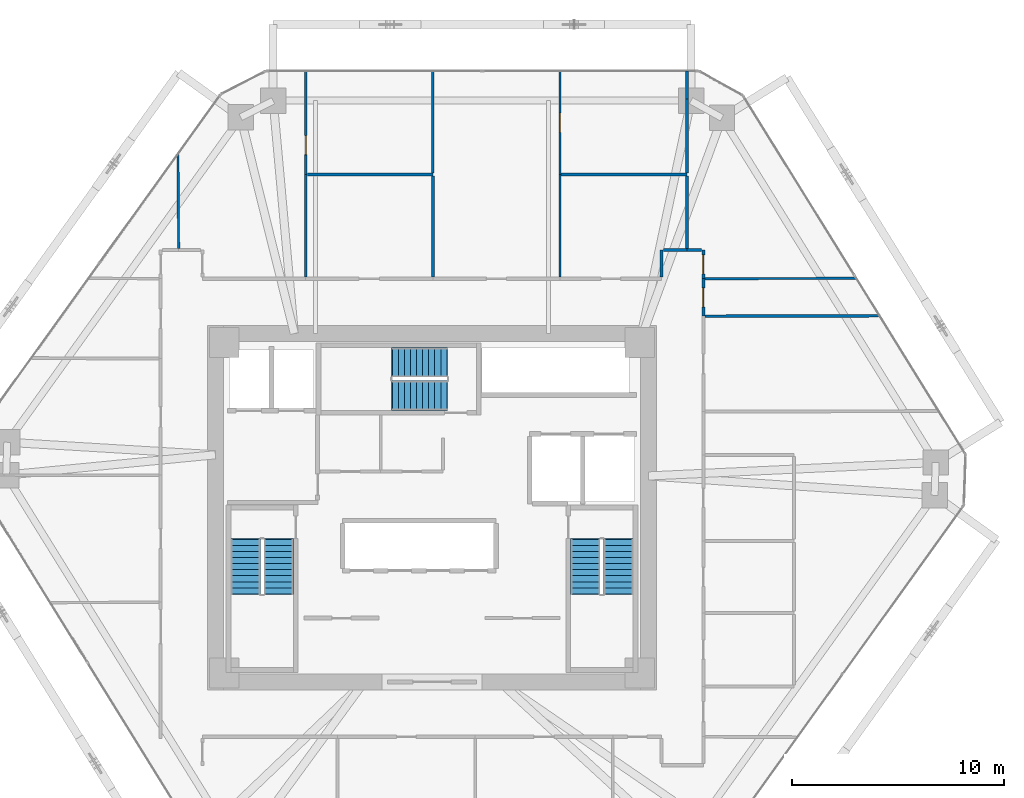
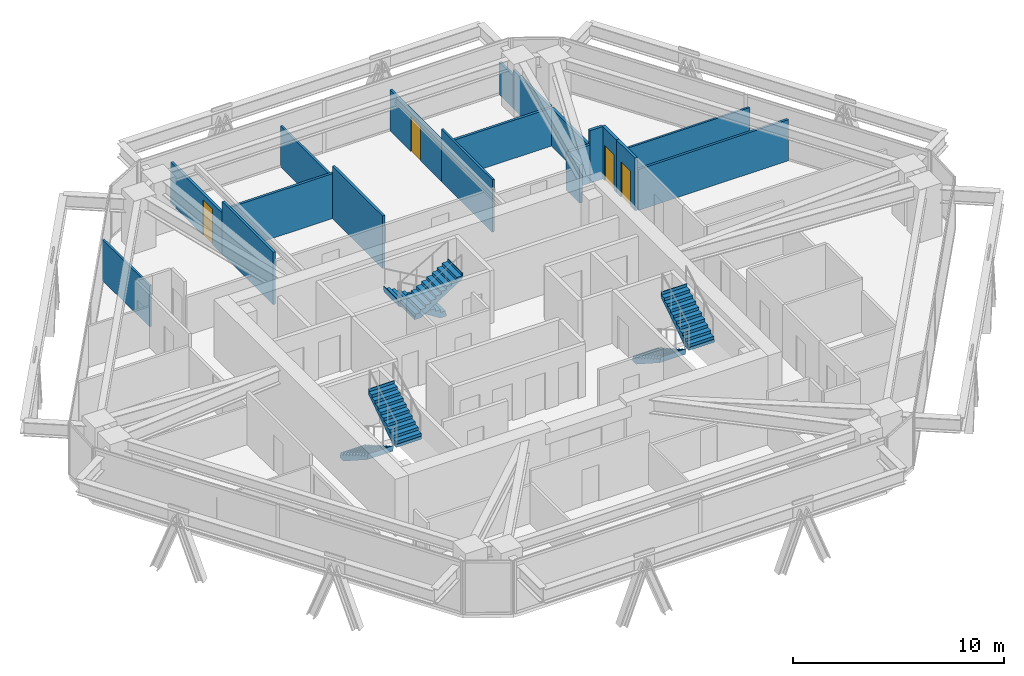
# One storey, part 15 of 16: 19 walls, 6 stair flights, 4 doors, 4 openings, 3 elements without a shape of their own.
"""IFC4 building model written with IfcOpenShell, lengths in metres."""

import ifcopenshell
import ifcopenshell.guid

model = None  # the IFC model being written
_history = None  # IfcOwnerHistory: only IFC2X3 demands one
_inside = {}  # id of a spatial element -> (the spatial element, [elements in it])
_under = {}  # id of a project, library or spatial element -> (it, [spatial elements below it])
_declared = {}  # id of a project -> (the project, [libraries it declares])
_typed = {}  # id of a type object -> (the type object, [elements of that type])
_made_of = {}  # id of a material, layer set ... -> (it, [elements and type objects made of it])


def new_model(schema):
    """Start an empty IFC model of exactly this schema.

    Asked for "IFC4X3", IfcOpenShell would pick the latest addendum, in which some entities
    have other attributes; the version numbers below select the first issue.
    IFC2X3 requires an IfcOwnerHistory on every rooted entity: one is made here for all.
    """
    global model, _history
    if schema == "IFC4X3":
        model = ifcopenshell.file(schema_version=(4, 3, 0, 0))
    else:
        model = ifcopenshell.file(schema=schema)
    _inside.clear()
    _under.clear()
    _declared.clear()
    _typed.clear()
    _made_of.clear()
    _history = None
    if model.schema == "IFC2X3":
        org = make("IfcOrganization", Name="unknown")
        user = make(
            "IfcPersonAndOrganization",
            ThePerson=make("IfcPerson", FamilyName="unknown"),
            TheOrganization=org,
        )
        app = make(
            "IfcApplication",
            ApplicationDeveloper=org,
            Version="unknown",
            ApplicationFullName="unknown",
            ApplicationIdentifier="unknown",
        )
        _history = make(
            "IfcOwnerHistory",
            OwningUser=user,
            OwningApplication=app,
            ChangeAction="ADDED",
            CreationDate=0,
        )
    return model


def make(cls, **values):
    """One entity of the class cls with the attributes given. An attribute that is None is left unset."""
    return model.create_entity(
        cls, **{name: value for name, value in values.items() if value is not None}
    )


def rooted(cls, **values):
    """An entity with a GlobalId (a new one), such as an element, a storey or a relation."""
    return make(cls, GlobalId=ifcopenshell.guid.new(), OwnerHistory=_history, **values)


def si_unit(unit_type, name, prefix=None):
    """IfcSIUnit, for example si_unit("LENGTHUNIT", "METRE", prefix="MILLI")."""
    return make("IfcSIUnit", UnitType=unit_type, Prefix=prefix, Name=name)


def assignment(units):
    """IfcUnitAssignment: the units of a project."""
    return None if units is None else make("IfcUnitAssignment", Units=units)


def point(xyz):
    """IfcCartesianPoint."""
    return None if xyz is None else make("IfcCartesianPoint", Coordinates=xyz)


def direction(xyz):
    """IfcDirection."""
    return None if xyz is None else make("IfcDirection", DirectionRatios=xyz)


def frame(location, z_axis=None, x_axis=None):
    """IfcAxis2Placement3D, a coordinate frame: its origin and axes. An axis left out is left unset."""
    return make(
        "IfcAxis2Placement3D",
        Location=point(location),
        Axis=direction(z_axis),
        RefDirection=direction(x_axis),
    )


def frame_2d(location, x_axis=None):
    """IfcAxis2Placement2D, a coordinate frame in the plane: its origin and x axis."""
    return make(
        "IfcAxis2Placement2D", Location=point(location), RefDirection=direction(x_axis)
    )


def origin():
    """The frame at (0, 0, 0) with its axes left unset."""
    return frame((0.0, 0.0, 0.0))


def place(relative_to, where):
    """IfcLocalPlacement: puts the frame where relative to a parent placement (None: the world)."""
    return make(
        "IfcLocalPlacement", PlacementRelTo=relative_to, RelativePlacement=where
    )


def context(
    kind, dimensions, precision=None, world=None, true_north=None, identifier=None
):
    """IfcGeometricRepresentationContext, for example the 3D "Model" context."""
    return make(
        "IfcGeometricRepresentationContext",
        ContextIdentifier=identifier,
        ContextType=kind,
        CoordinateSpaceDimension=dimensions,
        Precision=precision,
        WorldCoordinateSystem=world,
        TrueNorth=true_north,
    )


def subcontext(parent, identifier, kind, view, scale=None):
    """IfcGeometricRepresentationSubContext, for example "Body" below "Model"."""
    return make(
        "IfcGeometricRepresentationSubContext",
        ContextIdentifier=identifier,
        ContextType=kind,
        ParentContext=parent,
        TargetScale=scale,
        TargetView=view,
    )


def project(units=None, contexts=None):
    """IfcProject with its units and contexts."""
    return rooted(
        "IfcProject",
        Name="project",
        RepresentationContexts=contexts,
        UnitsInContext=assignment(units),
    )


def spatial(cls, under=None, at=None, **own):
    """A site, building, storey or space (cls), placed at a placement, below another one or the project."""
    s = rooted(cls, ObjectPlacement=at, **own)
    if under is not None:
        _under.setdefault(under.id(), (under, []))[1].append(s)
    return s


def polyline(points):
    """IfcPolyline through the points."""
    return make("IfcPolyline", Points=[point(p) for p in points])


def profile(cls, at=None, kind="AREA", **sizes):
    """A parametric profile (cls). Its sizes go by their IFC names, for example OverallWidth=200.0."""
    return make(cls, ProfileType=kind, Position=at, **sizes)


def rectangle(**sizes):
    """IfcRectangleProfileDef."""
    return profile("IfcRectangleProfileDef", **sizes)


def outline(outer, holes=None, kind="AREA"):
    """IfcArbitraryClosedProfileDef: a profile drawn as a closed curve; with holes, ...WithVoids."""
    if holes is None:
        return make("IfcArbitraryClosedProfileDef", ProfileType=kind, OuterCurve=outer)
    return make(
        "IfcArbitraryProfileDefWithVoids",
        ProfileType=kind,
        OuterCurve=outer,
        InnerCurves=holes,
    )


def extrude(swept, where, along, depth):
    """IfcExtrudedAreaSolid: the profile swept, set in the frame where, extruded along a direction by depth."""
    return make(
        "IfcExtrudedAreaSolid",
        SweptArea=swept,
        Position=where,
        ExtrudedDirection=direction(along),
        Depth=depth,
    )


def shape(context_of_items, identifier, shape_type, items):
    """IfcShapeRepresentation: the items that make up one representation, for example the "Body"."""
    return make(
        "IfcShapeRepresentation",
        ContextOfItems=context_of_items,
        RepresentationIdentifier=identifier,
        RepresentationType=shape_type,
        Items=items,
    )


def source(mapping_origin, context_of_items, identifier, shape_type, items):
    """IfcRepresentationMap: a shape defined once, which mapped items show again and again."""
    return make(
        "IfcRepresentationMap",
        MappingOrigin=mapping_origin,
        MappedRepresentation=shape(context_of_items, identifier, shape_type, items),
    )


def transform(
    local_origin,
    x_axis=None,
    y_axis=None,
    z_axis=None,
    scale=None,
    scale2=None,
    scale3=None,
    uniform=True,
):
    """IfcCartesianTransformationOperator3D, or its non-uniform kind. x_axis, y_axis, z_axis: its Axis1, 2, 3."""
    if uniform:
        return make(
            "IfcCartesianTransformationOperator3D",
            Axis1=direction(x_axis),
            Axis2=direction(y_axis),
            LocalOrigin=point(local_origin),
            Scale=scale,
            Axis3=direction(z_axis),
        )
    return make(
        "IfcCartesianTransformationOperator3DnonUniform",
        Axis1=direction(x_axis),
        Axis2=direction(y_axis),
        LocalOrigin=point(local_origin),
        Scale=scale,
        Axis3=direction(z_axis),
        Scale2=scale2,
        Scale3=scale3,
    )


def mapped(mapping_source, mapping_target):
    """IfcMappedItem: shows the shape of a source again, moved by a transform."""
    return make(
        "IfcMappedItem", MappingSource=mapping_source, MappingTarget=mapping_target
    )


def material(Name=None, Category=None):
    """IfcMaterial."""
    return make("IfcMaterial", Name=Name, Category=Category)


def layer(
    of_material, thickness, ventilated=None, Name=None, Category=None, Priority=None
):
    """IfcMaterialLayer: one layer of a wall or slab, of a material (None: an air gap)."""
    return make(
        "IfcMaterialLayer",
        Material=of_material,
        LayerThickness=thickness,
        IsVentilated=ventilated,
        Name=Name,
        Category=Category,
        Priority=Priority,
    )


def layer_set(layers, Name=None):
    """IfcMaterialLayerSet."""
    return make("IfcMaterialLayerSet", MaterialLayers=layers, LayerSetName=Name)


def made_of(thing, what):
    """Note that an element or type object is made of a material, layer set ...; save() writes the relation."""
    if what is not None:
        _made_of.setdefault(what.id(), (what, []))[1].append(thing)
    return thing


def type_object(cls, material=None, **own):
    """A type object (cls), such as IfcWallType, which elements share."""
    return made_of(rooted(cls, **own), material)


def type_shapes(of_type, sources):
    """Give a type object the sources (RepresentationMaps) that its elements show as mapped items."""
    of_type.RepresentationMaps = sources


def element(
    cls,
    number,
    at=None,
    inside=None,
    cuts=None,
    type_object=None,
    material=None,
    context=None,
    identifier="Body",
    shape_type=None,
    held_by="IfcProductDefinitionShape",
    body=None,
    shapes=None,
    **own,
):
    """One element of the class cls, such as IfcWall. Its Tag is "e" and its number.

    at: its placement. inside: the storey or other place that contains it. cuts: it is an
    opening in that element (IfcRelVoidsElement). A single representation is given by context,
    identifier, shape_type and body (its items); several are given by shapes. held_by: the class
    of the entity that holds the representations. save() writes the other relations.
    """
    e = rooted(cls, Tag="e%d" % number, ObjectPlacement=at, **own)
    if body is not None:
        shapes = [shape(context, identifier, shape_type, body)]
    if shapes is not None:
        e.Representation = make(held_by, Representations=shapes)
    if inside is not None:
        _inside.setdefault(inside.id(), (inside, []))[1].append(e)
    if cuts is not None:
        rooted(
            "IfcRelVoidsElement", RelatingBuildingElement=cuts, RelatedOpeningElement=e
        )
    if type_object is not None:
        _typed.setdefault(type_object.id(), (type_object, []))[1].append(e)
    return made_of(e, material)


def fill(opening, filler):
    """IfcRelFillsElement: the door or window that sits in an opening."""
    return rooted(
        "IfcRelFillsElement",
        RelatingOpeningElement=opening,
        RelatedBuildingElement=filler,
    )


def aggregate(whole, parts):
    """IfcRelAggregates: a whole, such as a stair, and the parts it consists of."""
    return rooted("IfcRelAggregates", RelatingObject=whole, RelatedObjects=parts)


def save(model, path):
    """Write the relations noted so far, then the file.

    IfcRelAggregates (storeys below a building ...), IfcRelContainedInSpatialStructure (elements
    in a storey), IfcRelDefinesByType, IfcRelAssociatesMaterial and IfcRelDeclares: one each for
    every whole, place, type object, material and project.
    """
    for whole, parts in _under.values():
        aggregate(whole, parts)
    for where, things in _inside.values():
        rooted(
            "IfcRelContainedInSpatialStructure",
            RelatedElements=things,
            RelatingStructure=where,
        )
    for kind, things in _typed.values():
        rooted("IfcRelDefinesByType", RelatedObjects=things, RelatingType=kind)
    for what, things in _made_of.values():
        rooted("IfcRelAssociatesMaterial", RelatedObjects=things, RelatingMaterial=what)
    for by, libraries in _declared.values():
        rooted("IfcRelDeclares", RelatingContext=by, RelatedDefinitions=libraries)
    model.write(path)


model = new_model("IFC4")

# Units and contexts
model_context = context("Model", 3, precision=1e-05, world=origin(), true_north=direction((0.0, 1.0)))
body_context = subcontext(model_context, "Body", "Model", "MODEL_VIEW")
ifc_project = project(units=[si_unit("LENGTHUNIT", "METRE"), si_unit("AREAUNIT", "SQUARE_METRE"), si_unit("VOLUMEUNIT", "CUBIC_METRE"), si_unit("PLANEANGLEUNIT", "RADIAN"), si_unit("MASSUNIT", "GRAM", prefix="KILO")], contexts=[model_context])

# Site, building, storey
site_placement = place(None, origin())
site = spatial("IfcSite", under=ifc_project, at=site_placement, CompositionType="ELEMENT")
building_placement = place(site_placement, origin())
building = spatial("IfcBuilding", under=site, at=building_placement, Name="Durnholm Broadcast Tower", CompositionType="ELEMENT")
storey_placement = place(building_placement, frame((0.0, 0.0, 117.300048828125)))
storey = spatial("IfcBuildingStorey", under=building, at=storey_placement, Name="L31", CompositionType="ELEMENT", Elevation=117.300048828125)

# Walls
ifc_material_1 = material(Name="Operable Acoustic Panel Partition", Category="aluminium")
ifc_layer_1 = layer(ifc_material_1, 0.110107421875)
ifc_layer_set_1 = layer_set([ifc_layer_1], Name="Operable Acoustic Panel Partition")
wall_type_1 = type_object("IfcWallType", Name="WALL-MOV-110", PredefinedType="MOVABLE", material=ifc_layer_set_1)
wall_1_placement = place(storey_placement, frame((-11.992431640625, 16.706787109375, 0.0), z_axis=(0.0, 0.0, 1.0), x_axis=(0.007103645899, -0.999974768789, 0.0)))
element("IfcWall", 1, at=wall_1_placement, inside=storey, type_object=wall_type_1, Name="L31 room dividing partition 8.9", PredefinedType="MOVABLE", context=body_context, shape_type="SweptSolid", body=[
    extrude(rectangle(XDim=4.4677734375, YDim=0.110107421875, at=frame_2d((2.23388671875, 0.0))), origin(), (0.0, 0.0, 1.0), 2.3798828125),
])
wall_2_placement = place(storey_placement, frame((0.0400390625, 20.614990234375, 0.0), z_axis=(0.0, 0.0, 1.0), x_axis=(0.0, -1.0, 0.0)))
element("IfcWall", 2, at=wall_2_placement, inside=storey, type_object=wall_type_1, Name="L31 room dividing partition 11.12", PredefinedType="MOVABLE", context=body_context, shape_type="SweptSolid", body=[
    extrude(rectangle(XDim=4.810546875, YDim=0.110107421875, at=frame_2d((2.4052734375, 0.0))), origin(), (0.0, 0.0, 1.0), 2.3798828125),
])
wall_3_placement = place(storey_placement, frame((6.0400390625, 15.73291015625, 0.0), z_axis=(0.0, 0.0, 1.0), x_axis=(0.0, -1.0, 0.0)))
element("IfcWall", 3, at=wall_3_placement, inside=storey, type_object=wall_type_1, Name="L31 room dividing partition 12.13", PredefinedType="MOVABLE", context=body_context, shape_type="SweptSolid", body=[
    extrude(rectangle(XDim=4.843994140625, YDim=0.110107421875, at=frame_2d((2.421875, 0.0))), origin(), (0.0, 0.0, 1.0), 3.044921875),
])

# Wall, opening, door
wall_4_placement = place(storey_placement, frame((6.0400390625, 20.614990234375, 0.0), z_axis=(0.0, 0.0, 1.0), x_axis=(0.0, -1.0, 0.0)))
wall_4 = element("IfcWall", 4, at=wall_4_placement, inside=storey, type_object=wall_type_1, Name="L31 room dividing partition 12.14", PredefinedType="MOVABLE", context=body_context, shape_type="SweptSolid", body=[
    extrude(rectangle(XDim=4.882080078125, YDim=0.110107421875, at=frame_2d((2.44091796875, 0.0))), origin(), (0.0, 0.0, 1.0), 2.3798828125),
])
opening_1_placement = place(wall_4_placement, frame((1.990966796875, 0.0, 0.0)))
opening_1 = element("IfcOpeningElement", 5, at=opening_1_placement, cuts=wall_4, Name="Opening DW-90L", PredefinedType="OPENING", context=body_context, shape_type="SweptSolid", body=[
    extrude(rectangle(XDim=0.89990234375, YDim=2.050048828125, at=frame_2d((0.449951171875, 1.02490234375))), frame((0.0, 0.06494140625, 0.0), z_axis=(0.0, -1.0, 0.0), x_axis=(1.0, 0.0, 0.0)), (0.0, 0.0, 1.0), 0.130126953125),
])
ifc_material_2 = material(Name="Laminate Restroom Door", Category="steel")
ifc_layer_2 = layer(ifc_material_2, 0.050048828125)
ifc_layer_set_2 = layer_set([ifc_layer_2], Name="Laminate Restroom Door")
door_type_1 = type_object("IfcDoorType", Name="DOOR-WC-900L", OperationType="NOTDEFINED", PredefinedType="DOOR", material=ifc_layer_set_2)
shared_shape_1 = source(origin(), body_context, "Body", "SweptSolid", [
    extrude(rectangle(XDim=0.89990234375, YDim=2.050048828125, at=frame_2d((0.449951171875, 1.02490234375))), frame((0.0, 0.02490234375, 0.0), z_axis=(0.0, -1.0, 0.0), x_axis=(1.0, 0.0, 0.0)), (0.0, 0.0, 1.0), 0.050048828125),
])
type_shapes(door_type_1, [shared_shape_1])
door_1_placement = place(opening_1_placement, origin())
door_1 = element("IfcDoor", 6, at=door_1_placement, inside=storey, type_object=door_type_1, Name="L31 Account Lounge connecting door", OperationType="SINGLE_SWING_LEFT", OverallHeight=2.050048828125, OverallWidth=0.89990234375, PredefinedType="DOOR", context=body_context, shape_type="MappedRepresentation", body=[
    mapped(shared_shape_1, transform((0.0, 0.0, 0.0), x_axis=(1.0, 0.0, 0.0), y_axis=(0.0, 1.0, 0.0), z_axis=(0.0, 0.0, 1.0), scale=1.0)),
])
fill(opening_1, door_1)

# Walls
wall_5_placement = place(storey_placement, frame((20.03515625, 10.8310546875, 0.0), z_axis=(0.0, 0.0, 1.0), x_axis=(-0.999995783715, -0.002903885812, 0.0)))
element("IfcWall", 7, at=wall_5_placement, inside=storey, type_object=wall_type_1, Name="L31 room dividing partition 15.26", PredefinedType="MOVABLE", context=body_context, shape_type="SweptSolid", body=[
    extrude(rectangle(XDim=7.146240234375, YDim=0.110107421875, at=frame_2d((3.5732421875, 0.0))), origin(), (0.0, 0.0, 1.0), 2.3798828125),
])
ifc_material_3 = material(Name="Gypsum Metal Stud Partition", Category="concrete")
ifc_layer_3 = layer(ifc_material_3, 0.135009765625)
ifc_layer_set_3 = layer_set([ifc_layer_3], Name="Gypsum Metal Stud Partition")
wall_type_2 = type_object("IfcWallType", Name="WALL-PART-135", PredefinedType="PARTITIONING", material=ifc_layer_set_3)
wall_6_placement = place(storey_placement, frame((-5.9599609375, 15.73291015625, 0.0), z_axis=(0.0, 0.0, 1.0), x_axis=(0.0, -1.0, 0.0)))
element("IfcWall", 8, at=wall_6_placement, inside=storey, type_object=wall_type_2, Name="L31 room dividing partition 9.10", PredefinedType="PARTITIONING", context=body_context, shape_type="SweptSolid", body=[
    extrude(rectangle(XDim=4.843994140625, YDim=0.135009765625, at=frame_2d((2.421875, 0.0))), origin(), (0.0, 0.0, 1.0), 3.044921875),
])

# Wall, opening, door
wall_7_placement = place(storey_placement, frame((-5.9599609375, 20.614990234375, 0.0), z_axis=(0.0, 0.0, 1.0), x_axis=(0.0, -1.0, 0.0)))
wall_7 = element("IfcWall", 9, at=wall_7_placement, inside=storey, type_object=wall_type_2, Name="L31 room dividing partition 9.11", PredefinedType="PARTITIONING", context=body_context, shape_type="SweptSolid", body=[
    extrude(rectangle(XDim=4.882080078125, YDim=0.135009765625, at=frame_2d((2.44091796875, 0.0))), origin(), (0.0, 0.0, 1.0), 2.3798828125),
])
opening_2_placement = place(wall_7_placement, frame((3.050048828125, 0.0, 0.0)))
opening_2 = element("IfcOpeningElement", 10, at=opening_2_placement, cuts=wall_7, Name="Opening DW-90L", PredefinedType="OPENING", context=body_context, shape_type="SweptSolid", body=[
    extrude(rectangle(XDim=0.89990234375, YDim=2.050048828125, at=frame_2d((0.449951171875, 1.02490234375))), frame((0.0, 0.07763671875, 0.0), z_axis=(0.0, -1.0, 0.0), x_axis=(1.0, 0.0, 0.0)), (0.0, 0.0, 1.0), 0.155029296875),
])
door_2_placement = place(opening_2_placement, origin())
door_2 = element("IfcDoor", 11, at=door_2_placement, inside=storey, type_object=door_type_1, Name="L31 Sales Presentation Hall connecting door", OperationType="SINGLE_SWING_LEFT", OverallHeight=2.050048828125, OverallWidth=0.89990234375, PredefinedType="DOOR", context=body_context, shape_type="MappedRepresentation", body=[
    mapped(shared_shape_1, transform((0.0, 0.0, 0.0), x_axis=(1.0, 0.0, 0.0), y_axis=(0.0, 1.0, 0.0), z_axis=(0.0, 0.0, 1.0), scale=1.0)),
])
fill(opening_2, door_2)

# Walls
wall_8_placement = place(storey_placement, frame((-5.888427734375, 15.73291015625, 0.0), z_axis=(0.0, 0.0, 1.0), x_axis=(1.0, 0.0, 0.0)))
element("IfcWall", 12, at=wall_8_placement, inside=storey, type_object=wall_type_2, Name="L31 room dividing partition 10.11", PredefinedType="PARTITIONING", context=body_context, shape_type="SweptSolid", body=[
    extrude(rectangle(XDim=5.928466796875, YDim=0.135009765625, at=frame_2d((2.96435546875, 0.0))), origin(), (0.0, 0.0, 1.0), 2.608154296875),
])
wall_9_placement = place(storey_placement, frame((0.0400390625, 15.66162109375, 0.0), z_axis=(0.0, 0.0, 1.0), x_axis=(0.0, -1.0, 0.0)))
element("IfcWall", 13, at=wall_9_placement, inside=storey, type_object=wall_type_2, Name="L31 room dividing partition 10.12", PredefinedType="PARTITIONING", context=body_context, shape_type="SweptSolid", body=[
    extrude(rectangle(XDim=4.772705078125, YDim=0.135009765625, at=frame_2d((2.38623046875, 0.0))), origin(), (0.0, 0.0, 1.0), 3.044921875),
])
wall_10_placement = place(storey_placement, frame((6.09912109375, 15.73291015625, 0.0), z_axis=(0.0, 0.0, 1.0), x_axis=(1.0, 0.0, 0.0)))
element("IfcWall", 14, at=wall_10_placement, inside=storey, type_object=wall_type_2, Name="L31 room dividing partition 13.14", PredefinedType="PARTITIONING", context=body_context, shape_type="SweptSolid", body=[
    extrude(rectangle(XDim=5.94091796875, YDim=0.135009765625, at=frame_2d((2.970458984375, 0.0))), origin(), (0.0, 0.0, 1.0), 2.212158203125),
])
wall_11_placement = place(storey_placement, frame((12.0400390625, 15.66162109375, 0.0), z_axis=(0.0, 0.0, 1.0), x_axis=(0.0, -1.0, 0.0)))
element("IfcWall", 15, at=wall_11_placement, inside=storey, type_object=wall_type_2, Name="L31 room dividing partition 13.15", PredefinedType="PARTITIONING", context=body_context, shape_type="SweptSolid", body=[
    extrude(rectangle(XDim=3.422607421875, YDim=0.135009765625, at=frame_2d((1.71142578125, 0.0))), origin(), (0.0, 0.0, 1.0), 2.212158203125),
])
wall_12_placement = place(storey_placement, frame((12.0400390625, 19.299072265625, 0.0), z_axis=(0.0, 0.0, 1.0), x_axis=(0.0, -1.0, 0.0)))
element("IfcWall", 16, at=wall_12_placement, inside=storey, type_object=wall_type_2, Name="L31 room dividing partition 14.15", PredefinedType="PARTITIONING", context=body_context, shape_type="SweptSolid", body=[
    extrude(rectangle(XDim=3.49462890625, YDim=0.135009765625, at=frame_2d((1.747314453125, 0.0))), origin(), (0.0, 0.0, 1.0), 2.212158203125),
])
wall_13_placement = place(storey_placement, frame((12.0400390625, 20.614990234375, 0.0), z_axis=(0.0, 0.0, 1.0), x_axis=(0.0, -1.0, 0.0)))
element("IfcWall", 17, at=wall_13_placement, inside=storey, type_object=wall_type_2, Name="L31 room dividing partition 14.15", PredefinedType="PARTITIONING", context=body_context, shape_type="SweptSolid", body=[
    extrude(rectangle(XDim=1.31591796875, YDim=0.135009765625, at=frame_2d((0.657958984375, 0.0))), origin(), (0.0, 0.0, 1.0), 1.876953125),
])
wall_14_placement = place(storey_placement, frame((12.888916015625, 9.040283203125, 0.0), z_axis=(0.0, 0.0, 1.0), x_axis=(0.999996831927, 0.00251716805, 0.0)))
element("IfcWall", 18, at=wall_14_placement, inside=storey, type_object=wall_type_2, Name="L31 room dividing partition 25.26", PredefinedType="PARTITIONING", context=body_context, shape_type="SweptSolid", body=[
    extrude(rectangle(XDim=8.244140625, YDim=0.135009765625, at=frame_2d((4.1220703125, 0.0))), origin(), (0.0, 0.0, 1.0), 2.3798828125),
])
ifc_material_4 = material(Name="Acoustic Gypsum Stud Partition", Category="concrete")
ifc_layer_4 = layer(ifc_material_4, 0.14990234375)
ifc_layer_set_4 = layer_set([ifc_layer_4], Name="Acoustic Gypsum Stud Partition")
wall_type_3 = type_object("IfcWallType", Name="WALL-PART-150", PredefinedType="PARTITIONING", material=ifc_layer_set_4)
wall_15_placement = place(storey_placement, frame((10.840087890625, 12.159912109375, 0.0), z_axis=(0.0, 0.0, 1.0), x_axis=(0.0, -1.0, 0.0)))
element("IfcWall", 19, at=wall_15_placement, inside=storey, type_object=wall_type_3, Name="L31 Hospitality Kitchen corridor partition", PredefinedType="PARTITIONING", context=body_context, shape_type="SweptSolid", body=[
    extrude(rectangle(XDim=1.27099609375, YDim=0.14990234375, at=frame_2d((0.635498046875, 0.0))), origin(), (0.0, 0.0, 1.0), 2.212158203125),
])
wall_16_placement = place(storey_placement, frame((12.0400390625, 12.159912109375, 0.0), z_axis=(0.0, 0.0, 1.0), x_axis=(-1.0, 0.0, 0.0)))
element("IfcWall", 20, at=wall_16_placement, inside=storey, type_object=wall_type_3, Name="L31 Hospitality Kitchen corridor partition", PredefinedType="PARTITIONING", context=body_context, shape_type="SweptSolid", body=[
    extrude(rectangle(XDim=1.12109375, YDim=0.14990234375, at=frame_2d((0.560546875, 0.0))), origin(), (0.0, 0.0, 1.0), 2.212158203125),
])

# Wall, opening, door
wall_17_placement = place(storey_placement, frame((12.81005859375, 10.81005859375, 0.0), z_axis=(0.0, 0.0, 1.0), x_axis=(0.0, 1.0, 0.0)))
wall_17 = element("IfcWall", 21, at=wall_17_placement, inside=storey, type_object=wall_type_3, Name="L31 Preview Meeting Room corridor partition", PredefinedType="PARTITIONING", context=body_context, shape_type="SweptSolid", body=[
    extrude(rectangle(XDim=1.349853515625, YDim=0.14990234375, at=frame_2d((0.6748046875, 0.0))), origin(), (0.0, 0.0, 1.0), 3.044921875),
])
opening_3_placement = place(wall_17_placement, frame((0.22509765625, 0.0, 0.0)))
opening_3 = element("IfcOpeningElement", 22, at=opening_3_placement, cuts=wall_17, Name="Opening DW-90R", PredefinedType="OPENING", context=body_context, shape_type="SweptSolid", body=[
    extrude(rectangle(XDim=0.89990234375, YDim=2.050048828125, at=frame_2d((0.449951171875, 1.02490234375))), frame((0.0, 0.0849609375, 0.0), z_axis=(0.0, -1.0, 0.0), x_axis=(1.0, 0.0, 0.0)), (0.0, 0.0, 1.0), 0.169921875),
])
ifc_layer_5 = layer(ifc_material_2, 0.050048828125)
ifc_layer_set_5 = layer_set([ifc_layer_5], Name="Laminate Restroom Door")
door_type_2 = type_object("IfcDoorType", Name="DOOR-WC-900R", OperationType="NOTDEFINED", PredefinedType="DOOR", material=ifc_layer_set_5)
shared_shape_2 = source(origin(), body_context, "Body", "SweptSolid", [
    extrude(rectangle(XDim=0.89990234375, YDim=2.050048828125, at=frame_2d((0.449951171875, 1.02490234375))), frame((0.0, 0.02490234375, 0.0), z_axis=(0.0, -1.0, 0.0), x_axis=(1.0, 0.0, 0.0)), (0.0, 0.0, 1.0), 0.050048828125),
])
type_shapes(door_type_2, [shared_shape_2])
door_3_placement = place(opening_3_placement, origin())
door_3 = element("IfcDoor", 23, at=door_3_placement, inside=storey, type_object=door_type_2, Name="L31 Preview Meeting Room entrance door", OperationType="SINGLE_SWING_RIGHT", OverallHeight=2.050048828125, OverallWidth=0.89990234375, PredefinedType="DOOR", context=body_context, shape_type="MappedRepresentation", body=[
    mapped(shared_shape_2, transform((0.0, 0.0, 0.0), x_axis=(1.0, 0.0, 0.0), y_axis=(0.0, 1.0, 0.0), z_axis=(0.0, 0.0, 1.0), scale=1.0)),
])
fill(opening_3, door_3)

# Wall
wall_18_placement = place(storey_placement, frame((12.73095703125, 12.159912109375, 0.0), z_axis=(0.0, 0.0, 1.0), x_axis=(-1.0, 0.0, 0.0)))
element("IfcWall", 24, at=wall_18_placement, inside=storey, type_object=wall_type_3, Name="L31 Preview Meeting Room corridor partition", PredefinedType="PARTITIONING", context=body_context, shape_type="SweptSolid", body=[
    extrude(rectangle(XDim=0.69091796875, YDim=0.14990234375, at=frame_2d((0.345458984375, 0.0))), origin(), (0.0, 0.0, 1.0), 3.044921875),
])

# Wall, opening, door
wall_19_placement = place(storey_placement, frame((12.81005859375, 9.0400390625, 0.0), z_axis=(0.0, 0.0, 1.0), x_axis=(0.0, 1.0, 0.0)))
wall_19 = element("IfcWall", 25, at=wall_19_placement, inside=storey, type_object=wall_type_3, Name="L31 Syndication Meeting Room 1 corridor partition", PredefinedType="PARTITIONING", context=body_context, shape_type="SweptSolid", body=[
    extrude(rectangle(XDim=1.77001953125, YDim=0.14990234375, at=frame_2d((0.885009765625, 0.0))), origin(), (0.0, 0.0, 1.0), 3.044921875),
])
opening_4_placement = place(wall_19_placement, frame((0.43505859375, 0.0, 0.0)))
opening_4 = element("IfcOpeningElement", 26, at=opening_4_placement, cuts=wall_19, Name="Opening DW-90L", PredefinedType="OPENING", context=body_context, shape_type="SweptSolid", body=[
    extrude(rectangle(XDim=0.89990234375, YDim=2.050048828125, at=frame_2d((0.449951171875, 1.02490234375))), frame((0.0, 0.0849609375, 0.0), z_axis=(0.0, -1.0, 0.0), x_axis=(1.0, 0.0, 0.0)), (0.0, 0.0, 1.0), 0.169921875),
])
door_4_placement = place(opening_4_placement, origin())
door_4 = element("IfcDoor", 27, at=door_4_placement, inside=storey, type_object=door_type_1, Name="L31 Syndication Meeting Room 1 entrance door", OperationType="SINGLE_SWING_LEFT", OverallHeight=2.050048828125, OverallWidth=0.89990234375, PredefinedType="DOOR", context=body_context, shape_type="MappedRepresentation", body=[
    mapped(shared_shape_1, transform((0.0, 0.0, 0.0), x_axis=(1.0, 0.0, 0.0), y_axis=(0.0, 1.0, 0.0), z_axis=(0.0, 0.0, 1.0), scale=1.0)),
])
fill(opening_4, door_4)

# Stair, stair flights
ifc_material_5 = material(Name="Concrete C50/60", Category="concrete")
stair_type = type_object("IfcStairType", Name="STAIR-DL-20R1650", PredefinedType="HALF_TURN_STAIR", material=ifc_material_5)
stair_1_placement = place(storey_placement, origin())
stair_1 = element("IfcStair", 28, at=stair_1_placement, inside=storey, type_object=stair_type, Name="L31 ST-1", PredefinedType="HALF_TURN_STAIR")
stair_flight_type = type_object("IfcStairFlightType", Name="FLIGHT-DL-20R1650", PredefinedType="STRAIGHT", material=ifc_material_5)
stair_flight_1_placement = place(storey_placement, frame((-8.800048828125, -1.5, 0.0), z_axis=(0.0, 0.0, 1.0), x_axis=(0.0, -1.0, 0.0)))
stair_flight_1 = element("IfcStairFlight", 29, at=stair_flight_1_placement, type_object=stair_flight_type, Name="ST-1 flight 1", NumberOfRisers=10, NumberOfTreads=9, PredefinedType="STRAIGHT", RiserHeight=0.165, TreadLength=0.285, context=body_context, shape_type="SweptSolid", body=[
    extrude(outline(polyline([(-0.0400390625, -0.14990234375), (-0.0400390625, 0.0), (0.0, 0.0), (0.0, 0.1650390625), (0.284912109375, 0.1650390625), (0.284912109375, 0.330078125), (0.570068359375, 0.330078125), (0.570068359375, 0.4951171875), (0.85498046875, 0.4951171875), (0.85498046875, 0.659912109375), (1.139892578125, 0.659912109375), (1.139892578125, 0.824951171875), (1.425048828125, 0.824951171875), (1.425048828125, 0.989990234375), (1.7099609375, 0.989990234375), (1.7099609375, 1.155029296875), (1.9951171875, 1.155029296875), (1.9951171875, 1.320068359375), (2.280029296875, 1.320068359375), (2.280029296875, 1.485107421875), (2.56494140625, 1.485107421875), (2.56494140625, 1.64990234375), (2.60498046875, 1.64990234375), (2.60498046875, 1.5), (2.56494140625, 1.311767578125), (0.299072265625, -0.14990234375), (-0.0400390625, -0.14990234375)])), frame((0.0, 0.699951171875, 0.0), z_axis=(0.0, -1.0, 0.0), x_axis=(1.0, 0.0, 0.0)), (0.0, 0.0, 1.0), 1.39990234375),
])
stair_flight_2_placement = place(storey_placement, frame((-7.239990234375, -4.06494140625, 1.64990234375), z_axis=(0.0, 0.0, 1.0), x_axis=(0.0, 1.0, 0.0)))
stair_flight_2 = element("IfcStairFlight", 30, at=stair_flight_2_placement, type_object=stair_flight_type, Name="ST-1 flight 2", NumberOfRisers=10, NumberOfTreads=9, PredefinedType="STRAIGHT", RiserHeight=0.165, TreadLength=0.285, context=body_context, shape_type="SweptSolid", body=[
    extrude(outline(polyline([(-0.0400390625, -0.14990234375), (-0.0400390625, 0.0), (0.0, 0.0), (0.0, 0.1650390625), (0.284912109375, 0.1650390625), (0.284912109375, 0.330078125), (0.570068359375, 0.330078125), (0.570068359375, 0.4951171875), (0.85498046875, 0.4951171875), (0.85498046875, 0.659912109375), (1.139892578125, 0.659912109375), (1.139892578125, 0.824951171875), (1.425048828125, 0.824951171875), (1.425048828125, 0.989990234375), (1.7099609375, 0.989990234375), (1.7099609375, 1.155029296875), (1.9951171875, 1.155029296875), (1.9951171875, 1.320068359375), (2.280029296875, 1.320068359375), (2.280029296875, 1.485107421875), (2.56494140625, 1.485107421875), (2.56494140625, 1.64990234375), (2.60498046875, 1.64990234375), (2.60498046875, 1.5), (2.56494140625, 1.311767578125), (0.299072265625, -0.14990234375), (-0.0400390625, -0.14990234375)])), frame((0.0, 0.699951171875, 0.0), z_axis=(0.0, -1.0, 0.0), x_axis=(1.0, 0.0, 0.0)), (0.0, 0.0, 1.0), 1.39990234375),
])
aggregate(stair_1, [stair_flight_1, stair_flight_2])

stair_2_placement = place(storey_placement, origin())
stair_2 = element("IfcStair", 31, at=stair_2_placement, inside=storey, type_object=stair_type, Name="L31 ST-2", PredefinedType="HALF_TURN_STAIR")
stair_flight_3_placement = place(storey_placement, frame((7.239990234375, -1.5, 0.0), z_axis=(0.0, 0.0, 1.0), x_axis=(0.0, -1.0, 0.0)))
stair_flight_3 = element("IfcStairFlight", 32, at=stair_flight_3_placement, type_object=stair_flight_type, Name="ST-2 flight 1", NumberOfRisers=10, NumberOfTreads=9, PredefinedType="STRAIGHT", RiserHeight=0.165, TreadLength=0.285, context=body_context, shape_type="SweptSolid", body=[
    extrude(outline(polyline([(-0.0400390625, -0.14990234375), (-0.0400390625, 0.0), (0.0, 0.0), (0.0, 0.1650390625), (0.284912109375, 0.1650390625), (0.284912109375, 0.330078125), (0.570068359375, 0.330078125), (0.570068359375, 0.4951171875), (0.85498046875, 0.4951171875), (0.85498046875, 0.659912109375), (1.139892578125, 0.659912109375), (1.139892578125, 0.824951171875), (1.425048828125, 0.824951171875), (1.425048828125, 0.989990234375), (1.7099609375, 0.989990234375), (1.7099609375, 1.155029296875), (1.9951171875, 1.155029296875), (1.9951171875, 1.320068359375), (2.280029296875, 1.320068359375), (2.280029296875, 1.485107421875), (2.56494140625, 1.485107421875), (2.56494140625, 1.64990234375), (2.60498046875, 1.64990234375), (2.60498046875, 1.5), (2.56494140625, 1.311767578125), (0.299072265625, -0.14990234375), (-0.0400390625, -0.14990234375)])), frame((0.0, 0.699951171875, 0.0), z_axis=(0.0, -1.0, 0.0), x_axis=(1.0, 0.0, 0.0)), (0.0, 0.0, 1.0), 1.39990234375),
])
stair_flight_4_placement = place(storey_placement, frame((8.800048828125, -4.06494140625, 1.64990234375), z_axis=(0.0, 0.0, 1.0), x_axis=(0.0, 1.0, 0.0)))
stair_flight_4 = element("IfcStairFlight", 33, at=stair_flight_4_placement, type_object=stair_flight_type, Name="ST-2 flight 2", NumberOfRisers=10, NumberOfTreads=9, PredefinedType="STRAIGHT", RiserHeight=0.165, TreadLength=0.285, context=body_context, shape_type="SweptSolid", body=[
    extrude(outline(polyline([(-0.0400390625, -0.14990234375), (-0.0400390625, 0.0), (0.0, 0.0), (0.0, 0.1650390625), (0.284912109375, 0.1650390625), (0.284912109375, 0.330078125), (0.570068359375, 0.330078125), (0.570068359375, 0.4951171875), (0.85498046875, 0.4951171875), (0.85498046875, 0.659912109375), (1.139892578125, 0.659912109375), (1.139892578125, 0.824951171875), (1.425048828125, 0.824951171875), (1.425048828125, 0.989990234375), (1.7099609375, 0.989990234375), (1.7099609375, 1.155029296875), (1.9951171875, 1.155029296875), (1.9951171875, 1.320068359375), (2.280029296875, 1.320068359375), (2.280029296875, 1.485107421875), (2.56494140625, 1.485107421875), (2.56494140625, 1.64990234375), (2.60498046875, 1.64990234375), (2.60498046875, 1.5), (2.56494140625, 1.311767578125), (0.299072265625, -0.14990234375), (-0.0400390625, -0.14990234375)])), frame((0.0, 0.699951171875, 0.0), z_axis=(0.0, -1.0, 0.0), x_axis=(1.0, 0.0, 0.0)), (0.0, 0.0, 1.0), 1.39990234375),
])
aggregate(stair_2, [stair_flight_3, stair_flight_4])

stair_3_placement = place(storey_placement, origin())
stair_3 = element("IfcStair", 34, at=stair_3_placement, inside=storey, type_object=stair_type, Name="L31 ST-3", PredefinedType="HALF_TURN_STAIR")
stair_flight_5_placement = place(storey_placement, frame((0.699951171875, 6.860107421875, 0.0), z_axis=(0.0, 0.0, 1.0), x_axis=(-1.0, 0.0, 0.0)))
stair_flight_5 = element("IfcStairFlight", 35, at=stair_flight_5_placement, type_object=stair_flight_type, Name="ST-3 flight 1", NumberOfRisers=10, NumberOfTreads=9, PredefinedType="STRAIGHT", RiserHeight=0.165, TreadLength=0.285, context=body_context, shape_type="SweptSolid", body=[
    extrude(outline(polyline([(-0.0400390625, -0.14990234375), (-0.0400390625, 0.0), (0.0, 0.0), (0.0, 0.1650390625), (0.284912109375, 0.1650390625), (0.284912109375, 0.330078125), (0.570068359375, 0.330078125), (0.570068359375, 0.4951171875), (0.85498046875, 0.4951171875), (0.85498046875, 0.659912109375), (1.139892578125, 0.659912109375), (1.139892578125, 0.824951171875), (1.425048828125, 0.824951171875), (1.425048828125, 0.989990234375), (1.7099609375, 0.989990234375), (1.7099609375, 1.155029296875), (1.9951171875, 1.155029296875), (1.9951171875, 1.320068359375), (2.280029296875, 1.320068359375), (2.280029296875, 1.485107421875), (2.56494140625, 1.485107421875), (2.56494140625, 1.64990234375), (2.60498046875, 1.64990234375), (2.60498046875, 1.5), (2.56494140625, 1.311767578125), (0.299072265625, -0.14990234375), (-0.0400390625, -0.14990234375)])), frame((0.0, 0.699951171875, 0.0), z_axis=(0.0, -1.0, 0.0), x_axis=(1.0, 0.0, 0.0)), (0.0, 0.0, 1.0), 1.39990234375),
])
stair_flight_6_placement = place(storey_placement, frame((-1.864990234375, 5.300048828125, 1.64990234375), z_axis=(0.0, 0.0, 1.0), x_axis=(1.0, 0.0, 0.0)))
stair_flight_6 = element("IfcStairFlight", 36, at=stair_flight_6_placement, type_object=stair_flight_type, Name="ST-3 flight 2", NumberOfRisers=10, NumberOfTreads=9, PredefinedType="STRAIGHT", RiserHeight=0.165, TreadLength=0.285, context=body_context, shape_type="SweptSolid", body=[
    extrude(outline(polyline([(-0.0400390625, -0.14990234375), (-0.0400390625, 0.0), (0.0, 0.0), (0.0, 0.1650390625), (0.284912109375, 0.1650390625), (0.284912109375, 0.330078125), (0.570068359375, 0.330078125), (0.570068359375, 0.4951171875), (0.85498046875, 0.4951171875), (0.85498046875, 0.659912109375), (1.139892578125, 0.659912109375), (1.139892578125, 0.824951171875), (1.425048828125, 0.824951171875), (1.425048828125, 0.989990234375), (1.7099609375, 0.989990234375), (1.7099609375, 1.155029296875), (1.9951171875, 1.155029296875), (1.9951171875, 1.320068359375), (2.280029296875, 1.320068359375), (2.280029296875, 1.485107421875), (2.56494140625, 1.485107421875), (2.56494140625, 1.64990234375), (2.60498046875, 1.64990234375), (2.60498046875, 1.5), (2.56494140625, 1.311767578125), (0.299072265625, -0.14990234375), (-0.0400390625, -0.14990234375)])), frame((0.0, 0.699951171875, 0.0), z_axis=(0.0, -1.0, 0.0), x_axis=(1.0, 0.0, 0.0)), (0.0, 0.0, 1.0), 1.39990234375),
])
aggregate(stair_3, [stair_flight_5, stair_flight_6])

save(model, "model.ifc")
